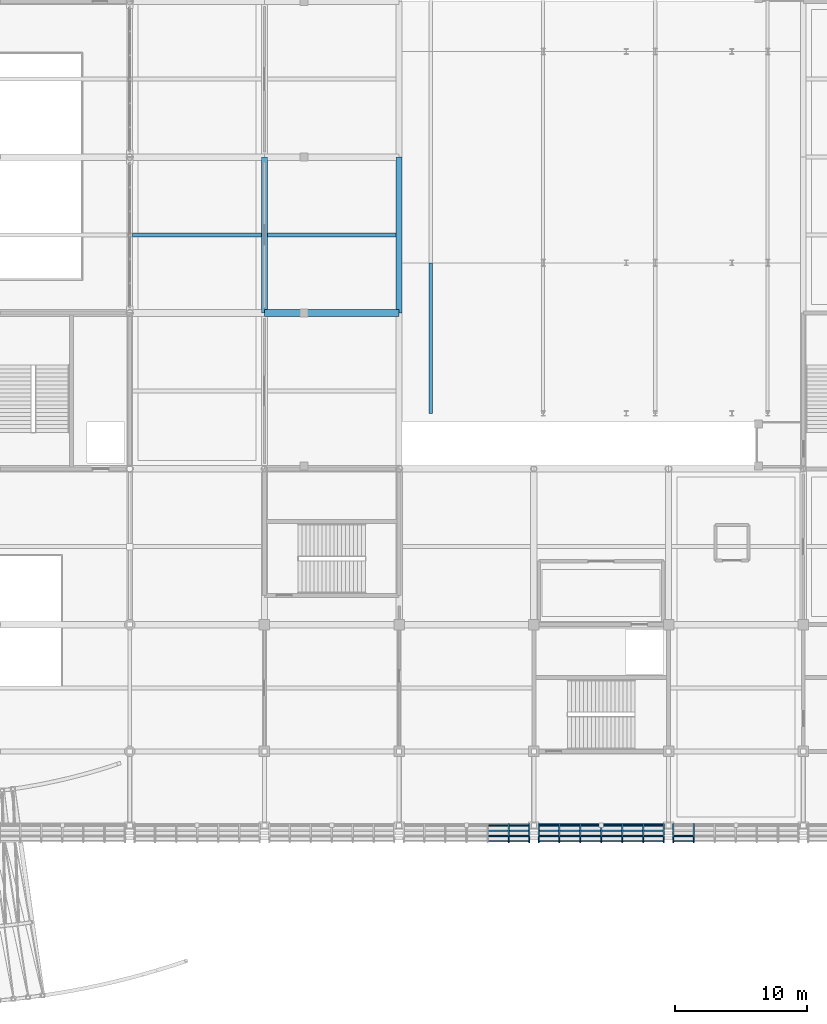
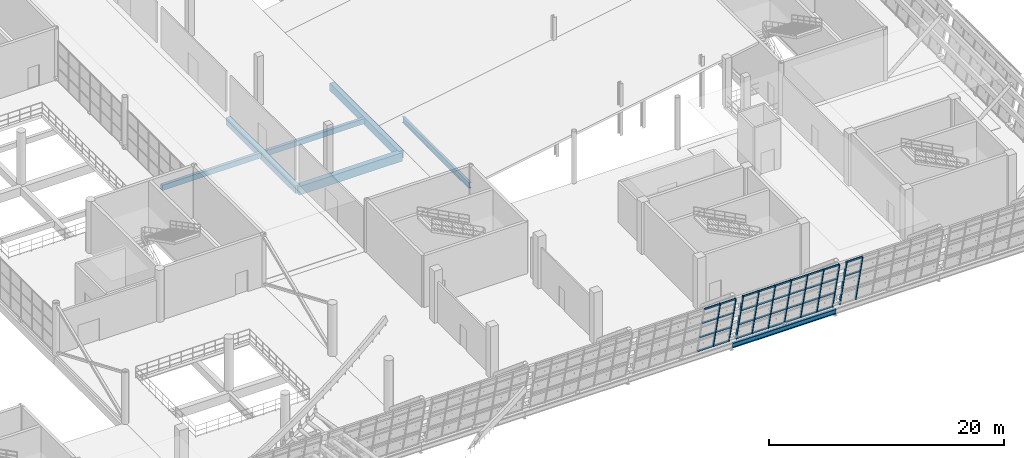
# One storey, part 59 of 175: 45 members, 7 beams, 3 elements without a shape of their own.
"""IFC4 building model written with IfcOpenShell, lengths in metres."""

from ifc_helpers import new_model, si_unit, direction, frame, origin, origin_2d, place, context, subcontext, project, spatial, rectangle, hollow_rectangle, i_section, extrude, material, material_profile, profile_set, type_object, element, aggregate, save


model = new_model("IFC4")

# Units and contexts
model_context = context("Model", 3, precision=1e-05, world=origin(), true_north=direction((0.0, 1.0)))
body_context = subcontext(model_context, "Body", "Model", "MODEL_VIEW")
ifc_project = project(units=[si_unit("LENGTHUNIT", "METRE"), si_unit("AREAUNIT", "SQUARE_METRE"), si_unit("VOLUMEUNIT", "CUBIC_METRE"), si_unit("PLANEANGLEUNIT", "RADIAN"), si_unit("MASSUNIT", "GRAM", prefix="KILO")], contexts=[model_context])

# Site, building, storey
site_placement = place(None, origin())
site = spatial("IfcSite", under=ifc_project, at=site_placement, CompositionType="ELEMENT")
building_placement = place(site_placement, origin())
building = spatial("IfcBuilding", under=site, at=building_placement, Name="Brelvane Convention Centre", CompositionType="ELEMENT")
storey_placement = place(building_placement, frame((0.0, 0.0, 5.39990234375)))
storey = spatial("IfcBuildingStorey", under=building, at=storey_placement, Name="L01", CompositionType="ELEMENT", Elevation=5.39990234375)

# Curtain wall, members
ifc_material_1 = material(Name="Anodised Aluminium Alloy 6063-T6", Category="aluminium")
curtain_wall_type = type_object("IfcCurtainWallType", Name="Curtain Wall CW-HULL-S", PredefinedType="USERDEFINED", material=ifc_material_1)
curtain_wall_1_placement = place(storey_placement, origin())
curtain_wall_1 = element("IfcCurtainWall", 1, at=curtain_wall_1_placement, inside=storey, type_object=curtain_wall_type, Name="Curtain Wall CW-HULL-S L01-HULL-S-L01-19", ObjectType="UNITISED", PredefinedType="USERDEFINED")
ifc_material_2 = material(Name="Anodised Aluminium Alloy 6063-T6", Category="aluminium")
ifc_material_profile_1 = material_profile(ifc_material_2, hollow_rectangle(XDim=0.080078125, YDim=0.239990234375, WallThickness=0.006103515625, InnerFilletRadius=0.006103515625, OuterFilletRadius=0.011962890625, at=origin_2d()), Name="ALU-M 240x80x6.0")
ifc_profile_set_1 = profile_set([ifc_material_profile_1], Name="Anodised Aluminium Alloy 6063-T6")
member_type_1 = type_object("IfcMemberType", Name="Curtain Mullion CW-M1", PredefinedType="MULLION", material=ifc_profile_set_1)
member_1_placement = place(storey_placement, frame((191.88671875, 13.60009765625, 0.0), z_axis=(0.0, -0.228360162456, 0.973576723326), x_axis=(1.0, 0.0, 0.0)))
member_1 = element("IfcMember", 2, at=member_1_placement, type_object=member_type_1, Name="CW-HULL-S mullion 6", PredefinedType="MULLION", context=body_context, shape_type="SweptSolid", body=[
    extrude(hollow_rectangle(XDim=0.080078125, YDim=0.239990234375, WallThickness=0.006103515625, InnerFilletRadius=0.006103515625, OuterFilletRadius=0.011962890625, at=origin_2d()), origin(), (0.0, 0.0, 1.0), 5.2900390625),
])
member_2_placement = place(storey_placement, frame((193.43994140625, 13.60009765625, 0.0), z_axis=(0.0, -0.228360162456, 0.973576723326), x_axis=(1.0, 0.0, 0.0)))
member_2 = element("IfcMember", 3, at=member_2_placement, type_object=member_type_1, Name="CW-HULL-S mullion 7", PredefinedType="MULLION", context=body_context, shape_type="SweptSolid", body=[
    extrude(hollow_rectangle(XDim=0.080078125, YDim=0.239990234375, WallThickness=0.006103515625, InnerFilletRadius=0.006103515625, OuterFilletRadius=0.011962890625, at=origin_2d()), origin(), (0.0, 0.0, 1.0), 5.2900390625),
])

curtain_wall_2_placement = place(storey_placement, origin())
curtain_wall_2 = element("IfcCurtainWall", 4, at=curtain_wall_2_placement, inside=storey, type_object=curtain_wall_type, Name="Curtain Wall CW-HULL-S L01-HULL-S-L01-20", ObjectType="UNITISED", PredefinedType="USERDEFINED")
member_3_placement = place(storey_placement, frame((194.159912109375, 13.60009765625, 0.0), z_axis=(0.0, -0.228360162456, 0.973576723326), x_axis=(1.0, 0.0, 0.0)))
member_3 = element("IfcMember", 5, at=member_3_placement, type_object=member_type_1, Name="CW-HULL-S mullion 1", PredefinedType="MULLION", context=body_context, shape_type="SweptSolid", body=[
    extrude(hollow_rectangle(XDim=0.080078125, YDim=0.239990234375, WallThickness=0.006103515625, InnerFilletRadius=0.006103515625, OuterFilletRadius=0.011962890625, at=origin_2d()), origin(), (0.0, 0.0, 1.0), 5.2900390625),
])
member_4_placement = place(storey_placement, frame((195.71337890625, 13.60009765625, 0.0), z_axis=(0.0, -0.228360162456, 0.973576723326), x_axis=(1.0, 0.0, 0.0)))
member_4 = element("IfcMember", 6, at=member_4_placement, type_object=member_type_1, Name="CW-HULL-S mullion 2", PredefinedType="MULLION", context=body_context, shape_type="SweptSolid", body=[
    extrude(hollow_rectangle(XDim=0.080078125, YDim=0.239990234375, WallThickness=0.006103515625, InnerFilletRadius=0.006103515625, OuterFilletRadius=0.011962890625, at=origin_2d()), origin(), (0.0, 0.0, 1.0), 5.2900390625),
])
member_5_placement = place(storey_placement, frame((197.306640625, 13.60009765625, 0.0), z_axis=(0.0, -0.228360162456, 0.973576723326), x_axis=(1.0, 0.0, 0.0)))
member_5 = element("IfcMember", 7, at=member_5_placement, type_object=member_type_1, Name="CW-HULL-S mullion 3", PredefinedType="MULLION", context=body_context, shape_type="SweptSolid", body=[
    extrude(hollow_rectangle(XDim=0.080078125, YDim=0.239990234375, WallThickness=0.006103515625, InnerFilletRadius=0.006103515625, OuterFilletRadius=0.011962890625, at=origin_2d()), origin(), (0.0, 0.0, 1.0), 5.2900390625),
])
member_6_placement = place(storey_placement, frame((198.89990234375, 13.60009765625, 0.0), z_axis=(0.0, -0.228360162456, 0.973576723326), x_axis=(1.0, 0.0, 0.0)))
member_6 = element("IfcMember", 8, at=member_6_placement, type_object=member_type_1, Name="CW-HULL-S mullion 4", PredefinedType="MULLION", context=body_context, shape_type="SweptSolid", body=[
    extrude(hollow_rectangle(XDim=0.080078125, YDim=0.239990234375, WallThickness=0.006103515625, InnerFilletRadius=0.006103515625, OuterFilletRadius=0.011962890625, at=origin_2d()), origin(), (0.0, 0.0, 1.0), 5.2900390625),
])
member_7_placement = place(storey_placement, frame((200.493408203125, 13.60009765625, 0.0), z_axis=(0.0, -0.228360162456, 0.973576723326), x_axis=(1.0, 0.0, 0.0)))
member_7 = element("IfcMember", 9, at=member_7_placement, type_object=member_type_1, Name="CW-HULL-S mullion 5", PredefinedType="MULLION", context=body_context, shape_type="SweptSolid", body=[
    extrude(hollow_rectangle(XDim=0.080078125, YDim=0.239990234375, WallThickness=0.006103515625, InnerFilletRadius=0.006103515625, OuterFilletRadius=0.011962890625, at=origin_2d()), origin(), (0.0, 0.0, 1.0), 5.2900390625),
])
member_8_placement = place(storey_placement, frame((202.086669921875, 13.60009765625, 0.0), z_axis=(0.0, -0.228360162456, 0.973576723326), x_axis=(1.0, 0.0, 0.0)))
member_8 = element("IfcMember", 10, at=member_8_placement, type_object=member_type_1, Name="CW-HULL-S mullion 6", PredefinedType="MULLION", context=body_context, shape_type="SweptSolid", body=[
    extrude(hollow_rectangle(XDim=0.080078125, YDim=0.239990234375, WallThickness=0.006103515625, InnerFilletRadius=0.006103515625, OuterFilletRadius=0.011962890625, at=origin_2d()), origin(), (0.0, 0.0, 1.0), 5.2900390625),
])
member_9_placement = place(storey_placement, frame((203.639892578125, 13.60009765625, 0.0), z_axis=(0.0, -0.228360162456, 0.973576723326), x_axis=(1.0, 0.0, 0.0)))
member_9 = element("IfcMember", 11, at=member_9_placement, type_object=member_type_1, Name="CW-HULL-S mullion 7", PredefinedType="MULLION", context=body_context, shape_type="SweptSolid", body=[
    extrude(hollow_rectangle(XDim=0.080078125, YDim=0.239990234375, WallThickness=0.006103515625, InnerFilletRadius=0.006103515625, OuterFilletRadius=0.011962890625, at=origin_2d()), origin(), (0.0, 0.0, 1.0), 5.2900390625),
])

curtain_wall_3_placement = place(storey_placement, origin())
curtain_wall_3 = element("IfcCurtainWall", 12, at=curtain_wall_3_placement, inside=storey, type_object=curtain_wall_type, Name="Curtain Wall CW-HULL-S L01-HULL-S-L01-21", ObjectType="UNITISED", PredefinedType="USERDEFINED")
member_10_placement = place(storey_placement, frame((204.360107421875, 13.60009765625, 0.0), z_axis=(0.0, -0.228360162456, 0.973576723326), x_axis=(1.0, 0.0, 0.0)))
member_10 = element("IfcMember", 13, at=member_10_placement, type_object=member_type_1, Name="CW-HULL-S mullion 1", PredefinedType="MULLION", context=body_context, shape_type="SweptSolid", body=[
    extrude(hollow_rectangle(XDim=0.080078125, YDim=0.239990234375, WallThickness=0.006103515625, InnerFilletRadius=0.006103515625, OuterFilletRadius=0.011962890625, at=origin_2d()), origin(), (0.0, 0.0, 1.0), 5.2900390625),
])
member_11_placement = place(storey_placement, frame((205.913330078125, 13.60009765625, 0.0), z_axis=(0.0, -0.228360162456, 0.973576723326), x_axis=(1.0, 0.0, 0.0)))
member_11 = element("IfcMember", 14, at=member_11_placement, type_object=member_type_1, Name="CW-HULL-S mullion 2", PredefinedType="MULLION", context=body_context, shape_type="SweptSolid", body=[
    extrude(hollow_rectangle(XDim=0.080078125, YDim=0.239990234375, WallThickness=0.006103515625, InnerFilletRadius=0.006103515625, OuterFilletRadius=0.011962890625, at=origin_2d()), origin(), (0.0, 0.0, 1.0), 5.2900390625),
])

# Member
ifc_material_3 = material(Name="Anodised Aluminium Alloy 6063-T6", Category="aluminium")
ifc_material_profile_2 = material_profile(ifc_material_3, hollow_rectangle(XDim=0.080078125, YDim=0.179931640625, WallThickness=0.0048828125, InnerFilletRadius=0.0048828125, OuterFilletRadius=0.010009765625, at=origin_2d()), Name="ALU-T 180x80x5.0")
ifc_profile_set_2 = profile_set([ifc_material_profile_2], Name="Anodised Aluminium Alloy 6063-T6")
member_type_2 = type_object("IfcMemberType", Name="Curtain Transom CW-T1", PredefinedType="USERDEFINED", material=ifc_profile_set_2)
member_12_placement = place(storey_placement, frame((190.333251953125, 13.590576171875, 0.0400390625), z_axis=(1.0, 0.0, 0.0), x_axis=(0.0, 1.0, 0.0)))
member_12 = element("IfcMember", 15, at=member_12_placement, type_object=member_type_2, Name="CW-HULL-S transom 5.1", ObjectType="TRANSOM", PredefinedType="USERDEFINED", context=body_context, shape_type="SweptSolid", body=[
    extrude(hollow_rectangle(XDim=0.080078125, YDim=0.179931640625, WallThickness=0.0048828125, InnerFilletRadius=0.0048828125, OuterFilletRadius=0.010009765625, at=origin_2d()), origin(), (0.0, 0.0, 1.0), 1.513427734375),
])

member_13_placement = place(storey_placement, frame((190.333251953125, 13.197265625, 1.716796875), z_axis=(1.0, 0.0, 0.0), x_axis=(0.0, 1.0, 0.0)))
member_13 = element("IfcMember", 16, at=member_13_placement, type_object=member_type_2, Name="CW-HULL-S transom 5.2", ObjectType="TRANSOM", PredefinedType="USERDEFINED", context=body_context, shape_type="SweptSolid", body=[
    extrude(hollow_rectangle(XDim=0.080078125, YDim=0.179931640625, WallThickness=0.0048828125, InnerFilletRadius=0.0048828125, OuterFilletRadius=0.010009765625, at=origin_2d()), origin(), (0.0, 0.0, 1.0), 1.513427734375),
])

member_14_placement = place(storey_placement, frame((190.333251953125, 12.794677734375, 3.433349609375), z_axis=(1.0, 0.0, 0.0), x_axis=(0.0, 1.0, 0.0)))
member_14 = element("IfcMember", 17, at=member_14_placement, type_object=member_type_2, Name="CW-HULL-S transom 5.3", ObjectType="TRANSOM", PredefinedType="USERDEFINED", context=body_context, shape_type="SweptSolid", body=[
    extrude(hollow_rectangle(XDim=0.080078125, YDim=0.179931640625, WallThickness=0.0048828125, InnerFilletRadius=0.0048828125, OuterFilletRadius=0.010009765625, at=origin_2d()), origin(), (0.0, 0.0, 1.0), 1.513427734375),
])

member_15_placement = place(storey_placement, frame((190.333251953125, 12.4013671875, 5.110107421875), z_axis=(1.0, 0.0, 0.0), x_axis=(0.0, 1.0, 0.0)))
member_15 = element("IfcMember", 18, at=member_15_placement, type_object=member_type_2, Name="CW-HULL-S transom 5.4", ObjectType="TRANSOM", PredefinedType="USERDEFINED", context=body_context, shape_type="SweptSolid", body=[
    extrude(hollow_rectangle(XDim=0.080078125, YDim=0.179931640625, WallThickness=0.0048828125, InnerFilletRadius=0.0048828125, OuterFilletRadius=0.010009765625, at=origin_2d()), origin(), (0.0, 0.0, 1.0), 1.513427734375),
])

member_16_placement = place(storey_placement, frame((191.9267578125, 13.590576171875, 0.0400390625), z_axis=(1.0, 0.0, 0.0), x_axis=(0.0, 1.0, 0.0)))
member_16 = element("IfcMember", 19, at=member_16_placement, type_object=member_type_2, Name="CW-HULL-S transom 6.1", ObjectType="TRANSOM", PredefinedType="USERDEFINED", context=body_context, shape_type="SweptSolid", body=[
    extrude(hollow_rectangle(XDim=0.080078125, YDim=0.179931640625, WallThickness=0.0048828125, InnerFilletRadius=0.0048828125, OuterFilletRadius=0.010009765625, at=origin_2d()), origin(), (0.0, 0.0, 1.0), 1.47314453125),
])

member_17_placement = place(storey_placement, frame((191.9267578125, 13.197265625, 1.716796875), z_axis=(1.0, 0.0, 0.0), x_axis=(0.0, 1.0, 0.0)))
member_17 = element("IfcMember", 20, at=member_17_placement, type_object=member_type_2, Name="CW-HULL-S transom 6.2", ObjectType="TRANSOM", PredefinedType="USERDEFINED", context=body_context, shape_type="SweptSolid", body=[
    extrude(hollow_rectangle(XDim=0.080078125, YDim=0.179931640625, WallThickness=0.0048828125, InnerFilletRadius=0.0048828125, OuterFilletRadius=0.010009765625, at=origin_2d()), origin(), (0.0, 0.0, 1.0), 1.47314453125),
])

member_18_placement = place(storey_placement, frame((191.9267578125, 12.794677734375, 3.433349609375), z_axis=(1.0, 0.0, 0.0), x_axis=(0.0, 1.0, 0.0)))
member_18 = element("IfcMember", 21, at=member_18_placement, type_object=member_type_2, Name="CW-HULL-S transom 6.3", ObjectType="TRANSOM", PredefinedType="USERDEFINED", context=body_context, shape_type="SweptSolid", body=[
    extrude(hollow_rectangle(XDim=0.080078125, YDim=0.179931640625, WallThickness=0.0048828125, InnerFilletRadius=0.0048828125, OuterFilletRadius=0.010009765625, at=origin_2d()), origin(), (0.0, 0.0, 1.0), 1.47314453125),
])

member_19_placement = place(storey_placement, frame((191.9267578125, 12.4013671875, 5.110107421875), z_axis=(1.0, 0.0, 0.0), x_axis=(0.0, 1.0, 0.0)))
member_19 = element("IfcMember", 22, at=member_19_placement, type_object=member_type_2, Name="CW-HULL-S transom 6.4", ObjectType="TRANSOM", PredefinedType="USERDEFINED", context=body_context, shape_type="SweptSolid", body=[
    extrude(hollow_rectangle(XDim=0.080078125, YDim=0.179931640625, WallThickness=0.0048828125, InnerFilletRadius=0.0048828125, OuterFilletRadius=0.010009765625, at=origin_2d()), origin(), (0.0, 0.0, 1.0), 1.47314453125),
])

aggregate(curtain_wall_1, [member_1, member_2, member_12, member_13, member_14, member_15, member_16, member_17, member_18, member_19])

member_20_placement = place(storey_placement, frame((194.199951171875, 13.590576171875, 0.0400390625), z_axis=(1.0, 0.0, 0.0), x_axis=(0.0, 1.0, 0.0)))
member_20 = element("IfcMember", 23, at=member_20_placement, type_object=member_type_2, Name="CW-HULL-S transom 1.1", ObjectType="TRANSOM", PredefinedType="USERDEFINED", context=body_context, shape_type="SweptSolid", body=[
    extrude(hollow_rectangle(XDim=0.080078125, YDim=0.179931640625, WallThickness=0.0048828125, InnerFilletRadius=0.0048828125, OuterFilletRadius=0.010009765625, at=origin_2d()), origin(), (0.0, 0.0, 1.0), 1.473388671875),
])

member_21_placement = place(storey_placement, frame((194.199951171875, 13.197265625, 1.716796875), z_axis=(1.0, 0.0, 0.0), x_axis=(0.0, 1.0, 0.0)))
member_21 = element("IfcMember", 24, at=member_21_placement, type_object=member_type_2, Name="CW-HULL-S transom 1.2", ObjectType="TRANSOM", PredefinedType="USERDEFINED", context=body_context, shape_type="SweptSolid", body=[
    extrude(hollow_rectangle(XDim=0.080078125, YDim=0.179931640625, WallThickness=0.0048828125, InnerFilletRadius=0.0048828125, OuterFilletRadius=0.010009765625, at=origin_2d()), origin(), (0.0, 0.0, 1.0), 1.473388671875),
])

member_22_placement = place(storey_placement, frame((194.199951171875, 12.794677734375, 3.433349609375), z_axis=(1.0, 0.0, 0.0), x_axis=(0.0, 1.0, 0.0)))
member_22 = element("IfcMember", 25, at=member_22_placement, type_object=member_type_2, Name="CW-HULL-S transom 1.3", ObjectType="TRANSOM", PredefinedType="USERDEFINED", context=body_context, shape_type="SweptSolid", body=[
    extrude(hollow_rectangle(XDim=0.080078125, YDim=0.179931640625, WallThickness=0.0048828125, InnerFilletRadius=0.0048828125, OuterFilletRadius=0.010009765625, at=origin_2d()), origin(), (0.0, 0.0, 1.0), 1.473388671875),
])

member_23_placement = place(storey_placement, frame((194.199951171875, 12.4013671875, 5.110107421875), z_axis=(1.0, 0.0, 0.0), x_axis=(0.0, 1.0, 0.0)))
member_23 = element("IfcMember", 26, at=member_23_placement, type_object=member_type_2, Name="CW-HULL-S transom 1.4", ObjectType="TRANSOM", PredefinedType="USERDEFINED", context=body_context, shape_type="SweptSolid", body=[
    extrude(hollow_rectangle(XDim=0.080078125, YDim=0.179931640625, WallThickness=0.0048828125, InnerFilletRadius=0.0048828125, OuterFilletRadius=0.010009765625, at=origin_2d()), origin(), (0.0, 0.0, 1.0), 1.473388671875),
])

member_24_placement = place(storey_placement, frame((195.75341796875, 13.590576171875, 0.0400390625), z_axis=(1.0, 0.0, 0.0), x_axis=(0.0, 1.0, 0.0)))
member_24 = element("IfcMember", 27, at=member_24_placement, type_object=member_type_2, Name="CW-HULL-S transom 2.1", ObjectType="TRANSOM", PredefinedType="USERDEFINED", context=body_context, shape_type="SweptSolid", body=[
    extrude(hollow_rectangle(XDim=0.080078125, YDim=0.179931640625, WallThickness=0.0048828125, InnerFilletRadius=0.0048828125, OuterFilletRadius=0.010009765625, at=origin_2d()), origin(), (0.0, 0.0, 1.0), 1.51318359375),
])

member_25_placement = place(storey_placement, frame((195.75341796875, 13.197265625, 1.716796875), z_axis=(1.0, 0.0, 0.0), x_axis=(0.0, 1.0, 0.0)))
member_25 = element("IfcMember", 28, at=member_25_placement, type_object=member_type_2, Name="CW-HULL-S transom 2.2", ObjectType="TRANSOM", PredefinedType="USERDEFINED", context=body_context, shape_type="SweptSolid", body=[
    extrude(hollow_rectangle(XDim=0.080078125, YDim=0.179931640625, WallThickness=0.0048828125, InnerFilletRadius=0.0048828125, OuterFilletRadius=0.010009765625, at=origin_2d()), origin(), (0.0, 0.0, 1.0), 1.51318359375),
])

member_26_placement = place(storey_placement, frame((195.75341796875, 12.794677734375, 3.433349609375), z_axis=(1.0, 0.0, 0.0), x_axis=(0.0, 1.0, 0.0)))
member_26 = element("IfcMember", 29, at=member_26_placement, type_object=member_type_2, Name="CW-HULL-S transom 2.3", ObjectType="TRANSOM", PredefinedType="USERDEFINED", context=body_context, shape_type="SweptSolid", body=[
    extrude(hollow_rectangle(XDim=0.080078125, YDim=0.179931640625, WallThickness=0.0048828125, InnerFilletRadius=0.0048828125, OuterFilletRadius=0.010009765625, at=origin_2d()), origin(), (0.0, 0.0, 1.0), 1.51318359375),
])

member_27_placement = place(storey_placement, frame((195.75341796875, 12.4013671875, 5.110107421875), z_axis=(1.0, 0.0, 0.0), x_axis=(0.0, 1.0, 0.0)))
member_27 = element("IfcMember", 30, at=member_27_placement, type_object=member_type_2, Name="CW-HULL-S transom 2.4", ObjectType="TRANSOM", PredefinedType="USERDEFINED", context=body_context, shape_type="SweptSolid", body=[
    extrude(hollow_rectangle(XDim=0.080078125, YDim=0.179931640625, WallThickness=0.0048828125, InnerFilletRadius=0.0048828125, OuterFilletRadius=0.010009765625, at=origin_2d()), origin(), (0.0, 0.0, 1.0), 1.51318359375),
])

member_28_placement = place(storey_placement, frame((197.3466796875, 13.590576171875, 0.0400390625), z_axis=(1.0, 0.0, 0.0), x_axis=(0.0, 1.0, 0.0)))
member_28 = element("IfcMember", 31, at=member_28_placement, type_object=member_type_2, Name="CW-HULL-S transom 3.1", ObjectType="TRANSOM", PredefinedType="USERDEFINED", context=body_context, shape_type="SweptSolid", body=[
    extrude(hollow_rectangle(XDim=0.080078125, YDim=0.179931640625, WallThickness=0.0048828125, InnerFilletRadius=0.0048828125, OuterFilletRadius=0.010009765625, at=origin_2d()), origin(), (0.0, 0.0, 1.0), 1.513427734375),
])

member_29_placement = place(storey_placement, frame((197.3466796875, 13.197265625, 1.716796875), z_axis=(1.0, 0.0, 0.0), x_axis=(0.0, 1.0, 0.0)))
member_29 = element("IfcMember", 32, at=member_29_placement, type_object=member_type_2, Name="CW-HULL-S transom 3.2", ObjectType="TRANSOM", PredefinedType="USERDEFINED", context=body_context, shape_type="SweptSolid", body=[
    extrude(hollow_rectangle(XDim=0.080078125, YDim=0.179931640625, WallThickness=0.0048828125, InnerFilletRadius=0.0048828125, OuterFilletRadius=0.010009765625, at=origin_2d()), origin(), (0.0, 0.0, 1.0), 1.513427734375),
])

member_30_placement = place(storey_placement, frame((197.3466796875, 12.794677734375, 3.433349609375), z_axis=(1.0, 0.0, 0.0), x_axis=(0.0, 1.0, 0.0)))
member_30 = element("IfcMember", 33, at=member_30_placement, type_object=member_type_2, Name="CW-HULL-S transom 3.3", ObjectType="TRANSOM", PredefinedType="USERDEFINED", context=body_context, shape_type="SweptSolid", body=[
    extrude(hollow_rectangle(XDim=0.080078125, YDim=0.179931640625, WallThickness=0.0048828125, InnerFilletRadius=0.0048828125, OuterFilletRadius=0.010009765625, at=origin_2d()), origin(), (0.0, 0.0, 1.0), 1.513427734375),
])

member_31_placement = place(storey_placement, frame((197.3466796875, 12.4013671875, 5.110107421875), z_axis=(1.0, 0.0, 0.0), x_axis=(0.0, 1.0, 0.0)))
member_31 = element("IfcMember", 34, at=member_31_placement, type_object=member_type_2, Name="CW-HULL-S transom 3.4", ObjectType="TRANSOM", PredefinedType="USERDEFINED", context=body_context, shape_type="SweptSolid", body=[
    extrude(hollow_rectangle(XDim=0.080078125, YDim=0.179931640625, WallThickness=0.0048828125, InnerFilletRadius=0.0048828125, OuterFilletRadius=0.010009765625, at=origin_2d()), origin(), (0.0, 0.0, 1.0), 1.513427734375),
])

member_32_placement = place(storey_placement, frame((198.93994140625, 13.590576171875, 0.0400390625), z_axis=(1.0, 0.0, 0.0), x_axis=(0.0, 1.0, 0.0)))
member_32 = element("IfcMember", 35, at=member_32_placement, type_object=member_type_2, Name="CW-HULL-S transom 4.1", ObjectType="TRANSOM", PredefinedType="USERDEFINED", context=body_context, shape_type="SweptSolid", body=[
    extrude(hollow_rectangle(XDim=0.080078125, YDim=0.179931640625, WallThickness=0.0048828125, InnerFilletRadius=0.0048828125, OuterFilletRadius=0.010009765625, at=origin_2d()), origin(), (0.0, 0.0, 1.0), 1.513427734375),
])

member_33_placement = place(storey_placement, frame((198.93994140625, 13.197265625, 1.716796875), z_axis=(1.0, 0.0, 0.0), x_axis=(0.0, 1.0, 0.0)))
member_33 = element("IfcMember", 36, at=member_33_placement, type_object=member_type_2, Name="CW-HULL-S transom 4.2", ObjectType="TRANSOM", PredefinedType="USERDEFINED", context=body_context, shape_type="SweptSolid", body=[
    extrude(hollow_rectangle(XDim=0.080078125, YDim=0.179931640625, WallThickness=0.0048828125, InnerFilletRadius=0.0048828125, OuterFilletRadius=0.010009765625, at=origin_2d()), origin(), (0.0, 0.0, 1.0), 1.513427734375),
])

member_34_placement = place(storey_placement, frame((198.93994140625, 12.794677734375, 3.433349609375), z_axis=(1.0, 0.0, 0.0), x_axis=(0.0, 1.0, 0.0)))
member_34 = element("IfcMember", 37, at=member_34_placement, type_object=member_type_2, Name="CW-HULL-S transom 4.3", ObjectType="TRANSOM", PredefinedType="USERDEFINED", context=body_context, shape_type="SweptSolid", body=[
    extrude(hollow_rectangle(XDim=0.080078125, YDim=0.179931640625, WallThickness=0.0048828125, InnerFilletRadius=0.0048828125, OuterFilletRadius=0.010009765625, at=origin_2d()), origin(), (0.0, 0.0, 1.0), 1.513427734375),
])

member_35_placement = place(storey_placement, frame((198.93994140625, 12.4013671875, 5.110107421875), z_axis=(1.0, 0.0, 0.0), x_axis=(0.0, 1.0, 0.0)))
member_35 = element("IfcMember", 38, at=member_35_placement, type_object=member_type_2, Name="CW-HULL-S transom 4.4", ObjectType="TRANSOM", PredefinedType="USERDEFINED", context=body_context, shape_type="SweptSolid", body=[
    extrude(hollow_rectangle(XDim=0.080078125, YDim=0.179931640625, WallThickness=0.0048828125, InnerFilletRadius=0.0048828125, OuterFilletRadius=0.010009765625, at=origin_2d()), origin(), (0.0, 0.0, 1.0), 1.513427734375),
])

member_36_placement = place(storey_placement, frame((200.533447265625, 13.590576171875, 0.0400390625), z_axis=(1.0, 0.0, 0.0), x_axis=(0.0, 1.0, 0.0)))
member_36 = element("IfcMember", 39, at=member_36_placement, type_object=member_type_2, Name="CW-HULL-S transom 5.1", ObjectType="TRANSOM", PredefinedType="USERDEFINED", context=body_context, shape_type="SweptSolid", body=[
    extrude(hollow_rectangle(XDim=0.080078125, YDim=0.179931640625, WallThickness=0.0048828125, InnerFilletRadius=0.0048828125, OuterFilletRadius=0.010009765625, at=origin_2d()), origin(), (0.0, 0.0, 1.0), 1.51318359375),
])

member_37_placement = place(storey_placement, frame((200.533447265625, 13.197265625, 1.716796875), z_axis=(1.0, 0.0, 0.0), x_axis=(0.0, 1.0, 0.0)))
member_37 = element("IfcMember", 40, at=member_37_placement, type_object=member_type_2, Name="CW-HULL-S transom 5.2", ObjectType="TRANSOM", PredefinedType="USERDEFINED", context=body_context, shape_type="SweptSolid", body=[
    extrude(hollow_rectangle(XDim=0.080078125, YDim=0.179931640625, WallThickness=0.0048828125, InnerFilletRadius=0.0048828125, OuterFilletRadius=0.010009765625, at=origin_2d()), origin(), (0.0, 0.0, 1.0), 1.51318359375),
])

member_38_placement = place(storey_placement, frame((200.533447265625, 12.794677734375, 3.433349609375), z_axis=(1.0, 0.0, 0.0), x_axis=(0.0, 1.0, 0.0)))
member_38 = element("IfcMember", 41, at=member_38_placement, type_object=member_type_2, Name="CW-HULL-S transom 5.3", ObjectType="TRANSOM", PredefinedType="USERDEFINED", context=body_context, shape_type="SweptSolid", body=[
    extrude(hollow_rectangle(XDim=0.080078125, YDim=0.179931640625, WallThickness=0.0048828125, InnerFilletRadius=0.0048828125, OuterFilletRadius=0.010009765625, at=origin_2d()), origin(), (0.0, 0.0, 1.0), 1.51318359375),
])

member_39_placement = place(storey_placement, frame((200.533447265625, 12.4013671875, 5.110107421875), z_axis=(1.0, 0.0, 0.0), x_axis=(0.0, 1.0, 0.0)))
member_39 = element("IfcMember", 42, at=member_39_placement, type_object=member_type_2, Name="CW-HULL-S transom 5.4", ObjectType="TRANSOM", PredefinedType="USERDEFINED", context=body_context, shape_type="SweptSolid", body=[
    extrude(hollow_rectangle(XDim=0.080078125, YDim=0.179931640625, WallThickness=0.0048828125, InnerFilletRadius=0.0048828125, OuterFilletRadius=0.010009765625, at=origin_2d()), origin(), (0.0, 0.0, 1.0), 1.51318359375),
])

member_40_placement = place(storey_placement, frame((202.126708984375, 13.590576171875, 0.0400390625), z_axis=(1.0, 0.0, 0.0), x_axis=(0.0, 1.0, 0.0)))
member_40 = element("IfcMember", 43, at=member_40_placement, type_object=member_type_2, Name="CW-HULL-S transom 6.1", ObjectType="TRANSOM", PredefinedType="USERDEFINED", context=body_context, shape_type="SweptSolid", body=[
    extrude(hollow_rectangle(XDim=0.080078125, YDim=0.179931640625, WallThickness=0.0048828125, InnerFilletRadius=0.0048828125, OuterFilletRadius=0.010009765625, at=origin_2d()), origin(), (0.0, 0.0, 1.0), 1.473388671875),
])

member_41_placement = place(storey_placement, frame((202.126708984375, 13.197265625, 1.716796875), z_axis=(1.0, 0.0, 0.0), x_axis=(0.0, 1.0, 0.0)))
member_41 = element("IfcMember", 44, at=member_41_placement, type_object=member_type_2, Name="CW-HULL-S transom 6.2", ObjectType="TRANSOM", PredefinedType="USERDEFINED", context=body_context, shape_type="SweptSolid", body=[
    extrude(hollow_rectangle(XDim=0.080078125, YDim=0.179931640625, WallThickness=0.0048828125, InnerFilletRadius=0.0048828125, OuterFilletRadius=0.010009765625, at=origin_2d()), origin(), (0.0, 0.0, 1.0), 1.473388671875),
])

member_42_placement = place(storey_placement, frame((202.126708984375, 12.794677734375, 3.433349609375), z_axis=(1.0, 0.0, 0.0), x_axis=(0.0, 1.0, 0.0)))
member_42 = element("IfcMember", 45, at=member_42_placement, type_object=member_type_2, Name="CW-HULL-S transom 6.3", ObjectType="TRANSOM", PredefinedType="USERDEFINED", context=body_context, shape_type="SweptSolid", body=[
    extrude(hollow_rectangle(XDim=0.080078125, YDim=0.179931640625, WallThickness=0.0048828125, InnerFilletRadius=0.0048828125, OuterFilletRadius=0.010009765625, at=origin_2d()), origin(), (0.0, 0.0, 1.0), 1.473388671875),
])

member_43_placement = place(storey_placement, frame((202.126708984375, 12.4013671875, 5.110107421875), z_axis=(1.0, 0.0, 0.0), x_axis=(0.0, 1.0, 0.0)))
member_43 = element("IfcMember", 46, at=member_43_placement, type_object=member_type_2, Name="CW-HULL-S transom 6.4", ObjectType="TRANSOM", PredefinedType="USERDEFINED", context=body_context, shape_type="SweptSolid", body=[
    extrude(hollow_rectangle(XDim=0.080078125, YDim=0.179931640625, WallThickness=0.0048828125, InnerFilletRadius=0.0048828125, OuterFilletRadius=0.010009765625, at=origin_2d()), origin(), (0.0, 0.0, 1.0), 1.473388671875),
])

aggregate(curtain_wall_2, [member_3, member_4, member_5, member_6, member_7, member_8, member_9, member_20, member_21, member_22, member_23, member_24, member_25, member_26, member_27, member_28, member_29, member_30, member_31, member_32, member_33, member_34, member_35, member_36, member_37, member_38, member_39, member_40, member_41, member_42, member_43])

member_44_placement = place(storey_placement, frame((204.39990234375, 12.794677734375, 3.433349609375), z_axis=(1.0, 0.0, 0.0), x_axis=(0.0, 1.0, 0.0)))
member_44 = element("IfcMember", 47, at=member_44_placement, type_object=member_type_2, Name="CW-HULL-S transom 1.3", ObjectType="TRANSOM", PredefinedType="USERDEFINED", context=body_context, shape_type="SweptSolid", body=[
    extrude(hollow_rectangle(XDim=0.080078125, YDim=0.179931640625, WallThickness=0.0048828125, InnerFilletRadius=0.0048828125, OuterFilletRadius=0.010009765625, at=origin_2d()), origin(), (0.0, 0.0, 1.0), 1.473388671875),
])

member_45_placement = place(storey_placement, frame((204.39990234375, 12.4013671875, 5.110107421875), z_axis=(1.0, 0.0, 0.0), x_axis=(0.0, 1.0, 0.0)))
member_45 = element("IfcMember", 48, at=member_45_placement, type_object=member_type_2, Name="CW-HULL-S transom 1.4", ObjectType="TRANSOM", PredefinedType="USERDEFINED", context=body_context, shape_type="SweptSolid", body=[
    extrude(hollow_rectangle(XDim=0.080078125, YDim=0.179931640625, WallThickness=0.0048828125, InnerFilletRadius=0.0048828125, OuterFilletRadius=0.010009765625, at=origin_2d()), origin(), (0.0, 0.0, 1.0), 1.473388671875),
])

aggregate(curtain_wall_3, [member_10, member_11, member_44, member_45])

# Beams
ifc_material_4 = material(Name="Concrete M40", Category="concrete")
ifc_material_profile_3 = material_profile(ifc_material_4, rectangle(XDim=0.5, YDim=0.89990234375, at=origin_2d()), Name="RC 500x900")
ifc_profile_set_3 = profile_set([ifc_material_profile_3], Name="Concrete M40")
beam_type_1 = type_object("IfcBeamType", Name="RC Beam B-RC4 (RC 500x900)", PredefinedType="BEAM", material=ifc_profile_set_3)
beam_1_placement = place(storey_placement, frame((173.39990234375, 52.39990234375, -0.77001953125), z_axis=(1.0, 0.0, 0.0), x_axis=(0.0, 1.0, 0.0)))
element("IfcBeam", 49, at=beam_1_placement, inside=storey, type_object=beam_type_1, Name="L01 Beam 18-19/F", PredefinedType="BEAM", context=body_context, shape_type="SweptSolid", body=[
    extrude(rectangle(XDim=0.5, YDim=0.89990234375, at=origin_2d()), origin(), (0.0, 0.0, 1.0), 10.2001953125),
])
ifc_material_5 = material(Name="Concrete M40", Category="concrete")
ifc_material_profile_4 = material_profile(ifc_material_5, rectangle(XDim=0.449951171875, YDim=0.800048828125, at=origin_2d()), Name="RC 450x800")
ifc_profile_set_4 = profile_set([ifc_material_profile_4], Name="Concrete M40")
beam_type_2 = type_object("IfcBeamType", Name="RC Beam B-RC5 (RC 450x800)", PredefinedType="BEAM", material=ifc_profile_set_4)
for number, where, z_axis, x_axis, name in (
    (50, (173.39990234375, 52.39990234375, -0.719970703125), (0.0, 1.0, 0.0), (-1.0, 0.0, 0.0), "L01 Girder 18/F-G"),
    (51, (183.60009765625, 52.39990234375, -0.719970703125), (0.0, 1.0, 0.0), (-1.0, 0.0, 0.0), "L01 Girder 19/F-G"),
):
    element("IfcBeam", number, at=place(storey_placement, frame(where, z_axis=z_axis, x_axis=x_axis)), inside=storey, type_object=beam_type_2, Name=name, PredefinedType="BEAM", context=body_context, shape_type="SweptSolid", body=[
        extrude(rectangle(XDim=0.449951171875, YDim=0.800048828125, at=origin_2d()), origin(), (0.0, 0.0, 1.0), 11.800048828125),
    ])
ifc_material_6 = material(Name="Concrete M40", Category="concrete")
ifc_material_profile_5 = material_profile(ifc_material_6, rectangle(XDim=0.300048828125, YDim=0.550048828125, at=origin_2d()), Name="RC 300x550")
ifc_profile_set_5 = profile_set([ifc_material_profile_5], Name="Concrete M40")
beam_type_3 = type_object("IfcBeamType", Name="RC Joist J-RC1 (RC 300x550)", PredefinedType="JOIST", material=ifc_profile_set_5)
beam_2_placement = place(storey_placement, frame((163.39990234375, 58.300048828125, -0.594970703125), z_axis=(1.0, 0.0, 0.0), x_axis=(0.0, 1.0, 0.0)))
element("IfcBeam", 52, at=beam_2_placement, inside=storey, type_object=beam_type_3, Name="L01 Secondary Joist 17-18/FG", PredefinedType="JOIST", context=body_context, shape_type="SweptSolid", body=[
    extrude(rectangle(XDim=0.300048828125, YDim=0.550048828125, at=origin_2d()), origin(), (0.0, 0.0, 1.0), 9.775146484375),
])
beam_3_placement = place(storey_placement, frame((173.625, 58.300048828125, -0.594970703125), z_axis=(1.0, 0.0, 0.0), x_axis=(0.0, 1.0, 0.0)))
element("IfcBeam", 53, at=beam_3_placement, inside=storey, type_object=beam_type_3, Name="L01 Secondary Joist 18-19/FG", PredefinedType="JOIST", context=body_context, shape_type="SweptSolid", body=[
    extrude(rectangle(XDim=0.300048828125, YDim=0.550048828125, at=origin_2d()), origin(), (0.0, 0.0, 1.0), 9.75),
])
ifc_material_7 = material(Name="Steel E350 (350 MPa)", Category="steel")
ifc_material_profile_6 = material_profile(ifc_material_7, i_section(OverallWidth=0.25, OverallDepth=0.60009765625, WebThickness=0.01171875, FlangeThickness=0.023681640625, FilletRadius=0.01806640625, at=origin_2d()), Name="ISWB 600")
ifc_profile_set_6 = profile_set([ifc_material_profile_6], Name="Steel E350 (350 MPa)")
beam_type_4 = type_object("IfcBeamType", Name="Steel Beam B-ST5 (ISWB 600)", PredefinedType="BEAM", material=ifc_profile_set_6)
beam_4_placement = place(storey_placement, frame((186.0, 44.800048828125, -0.139892578125), z_axis=(0.0, 1.0, 0.0), x_axis=(-1.0, 0.0, 0.0)))
element("IfcBeam", 54, at=beam_4_placement, inside=storey, type_object=beam_type_4, Name="Plenary Lower Tier Bearer Beam L1-1", PredefinedType="BEAM", context=body_context, shape_type="SweptSolid", body=[
    extrude(i_section(OverallWidth=0.25, OverallDepth=0.60009765625, WebThickness=0.01171875, FlangeThickness=0.023681640625, FilletRadius=0.01806640625, at=origin_2d()), origin(), (0.0, 0.0, 1.0), 11.39990234375),
])
ifc_material_8 = material(Name="Steel E350 (350 MPa)", Category="steel")
ifc_material_profile_7 = material_profile(ifc_material_8, i_section(OverallWidth=0.25, OverallDepth=0.5, WebThickness=0.010009765625, FlangeThickness=0.0146484375, FilletRadius=0.01611328125, at=origin_2d()), Name="ISWB 500")
ifc_profile_set_7 = profile_set([ifc_material_profile_7], Name="Steel E350 (350 MPa)")
beam_type_5 = type_object("IfcBeamType", Name="Steel Spandrel SP-ST1 (ISWB 500)", PredefinedType="SPANDREL", material=ifc_profile_set_7)
beam_5_placement = place(storey_placement, frame((193.800048828125, 13.60009765625, -0.56982421875), z_axis=(1.0, 0.0, 0.0), x_axis=(0.0, 1.0, 0.0)))
element("IfcBeam", 55, at=beam_5_placement, inside=storey, type_object=beam_type_5, Name="L01 Hull Overhang Edge Spandrel 20", PredefinedType="SPANDREL", context=body_context, shape_type="SweptSolid", body=[
    extrude(i_section(OverallWidth=0.25, OverallDepth=0.5, WebThickness=0.010009765625, FlangeThickness=0.0146484375, FilletRadius=0.01611328125, at=origin_2d()), origin(), (0.0, 0.0, 1.0), 10.199951171875),
])

save(model, "model.ifc")
